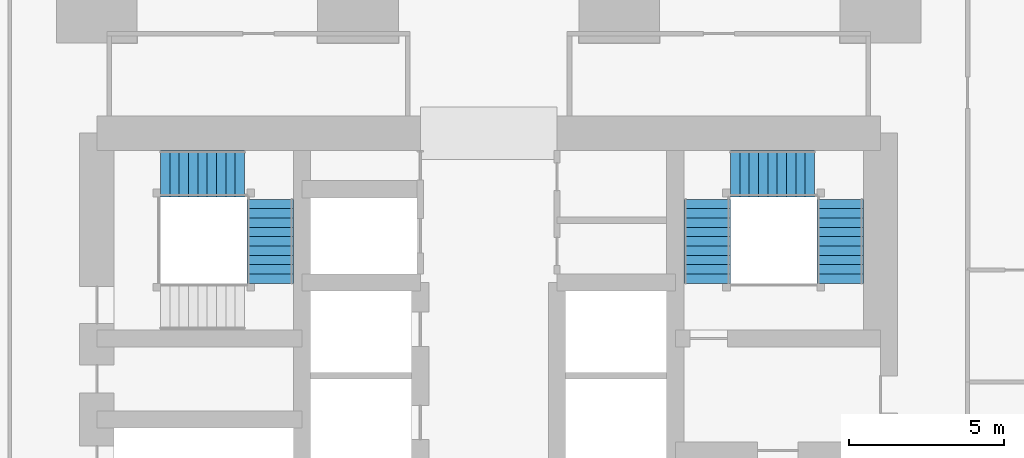
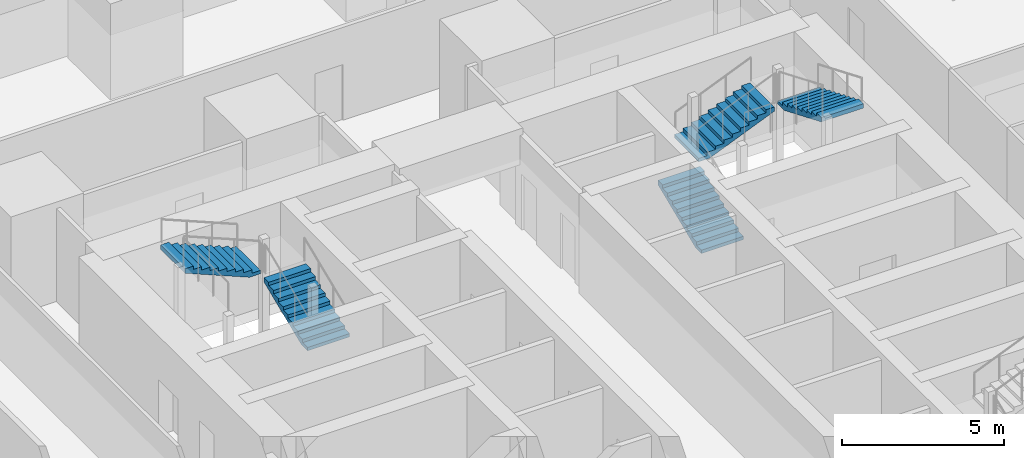
# One storey, part 26 of 35: 5 stair flights, 2 elements without a shape of their own.
"""IFC4 building model written with IfcOpenShell, lengths in metres."""

from ifc_helpers import new_model, si_unit, direction, frame, origin, place, context, subcontext, project, spatial, polyline, outline, extrude, material, type_object, element, aggregate, save


model = new_model("IFC4")

# Units and contexts
model_context = context("Model", 3, precision=1e-05, world=origin(), true_north=direction((0.0, 1.0)))
body_context = subcontext(model_context, "Body", "Model", "MODEL_VIEW")
ifc_project = project(units=[si_unit("LENGTHUNIT", "METRE"), si_unit("AREAUNIT", "SQUARE_METRE"), si_unit("VOLUMEUNIT", "CUBIC_METRE"), si_unit("PLANEANGLEUNIT", "RADIAN"), si_unit("MASSUNIT", "GRAM", prefix="KILO")], contexts=[model_context])

# Site, building, storey
site_placement = place(None, origin())
site = spatial("IfcSite", under=ifc_project, at=site_placement, CompositionType="ELEMENT")
building_placement = place(site_placement, origin())
building = spatial("IfcBuilding", under=site, at=building_placement, Name="Rekha Terrace Tower", CompositionType="ELEMENT")
storey_placement = place(building_placement, frame((0.0, 0.0, 25.39990234375)))
storey = spatial("IfcBuildingStorey", under=building, at=storey_placement, Name="L05", CompositionType="ELEMENT", Elevation=25.39990234375)

# Stair, stair flights
ifc_material = material(Name="Concrete M40", Category="concrete")
stair_type = type_object("IfcStairType", Name="ST30 stair, 30 risers of 125, going 300, 1500 wide flights, 3 flights", PredefinedType="HALF_TURN_STAIR", material=ifc_material)
stair_1_placement = place(storey_placement, origin())
stair_1 = element("IfcStair", 1, at=stair_1_placement, inside=storey, type_object=stair_type, Name="Stair ST2 L05 to L06", PredefinedType="HALF_TURN_STAIR")
stair_flight_type = type_object("IfcStairFlightType", Name="SF10 stair flight, 10 risers of 125, going 300, 1500 wide", PredefinedType="STRAIGHT", material=ifc_material)
stair_flight_1_placement = place(storey_placement, frame((44.824951171875, 41.375, 0.0), z_axis=(0.0, 0.0, 1.0), x_axis=(0.0, 1.0, 0.0)))
stair_flight_1 = element("IfcStairFlight", 2, at=stair_flight_1_placement, type_object=stair_flight_type, Name="ST2 flight 1", NumberOfRisers=10, NumberOfTreads=9, PredefinedType="STRAIGHT", RiserHeight=0.125, TreadLength=0.3, context=body_context, shape_type="SweptSolid", body=[
    extrude(outline(polyline([(0.0, 0.0), (0.0, 0.125), (0.300048828125, 0.125), (0.300048828125, 0.25), (0.60009765625, 0.25), (0.60009765625, 0.375), (0.89990234375, 0.375), (0.89990234375, 0.5), (1.199951171875, 0.5), (1.199951171875, 0.625), (1.5, 0.625), (1.5, 0.75), (1.800048828125, 0.75), (1.800048828125, 0.875), (2.10009765625, 0.875), (2.10009765625, 1.0), (2.39990234375, 1.0), (2.39990234375, 1.125), (2.699951171875, 1.125), (2.699951171875, 1.25), (2.699951171875, 0.962646484375), (0.3896484375, 0.0), (0.0, 0.0)])), frame((0.0, 0.75, 0.0), z_axis=(0.0, -1.0, 0.0), x_axis=(1.0, 0.0, 0.0)), (0.0, 0.0, 1.0), 1.5),
])
stair_flight_2_placement = place(storey_placement, frame((45.574951171875, 44.89990234375, 1.25), z_axis=(0.0, 0.0, 1.0), x_axis=(1.0, 0.0, 0.0)))
stair_flight_2 = element("IfcStairFlight", 3, at=stair_flight_2_placement, type_object=stair_flight_type, Name="ST2 flight 2", NumberOfRisers=10, NumberOfTreads=9, PredefinedType="STRAIGHT", RiserHeight=0.125, TreadLength=0.3, context=body_context, shape_type="SweptSolid", body=[
    extrude(outline(polyline([(0.0, 0.0), (0.0, 0.125), (0.300048828125, 0.125), (0.300048828125, 0.25), (0.60009765625, 0.25), (0.60009765625, 0.375), (0.89990234375, 0.375), (0.89990234375, 0.5), (1.199951171875, 0.5), (1.199951171875, 0.625), (1.5, 0.625), (1.5, 0.75), (1.800048828125, 0.75), (1.800048828125, 0.875), (2.10009765625, 0.875), (2.10009765625, 1.0), (2.39990234375, 1.0), (2.39990234375, 1.125), (2.699951171875, 1.125), (2.699951171875, 1.25), (2.699951171875, 0.962646484375), (0.3896484375, 0.0), (0.0, 0.0)])), frame((0.0, 0.75, 0.0), z_axis=(0.0, -1.0, 0.0), x_axis=(1.0, 0.0, 0.0)), (0.0, 0.0, 1.0), 1.5),
])
stair_flight_3_placement = place(storey_placement, frame((49.10009765625, 44.074951171875, 2.5), z_axis=(0.0, 0.0, 1.0), x_axis=(0.0, -1.0, 0.0)))
stair_flight_3 = element("IfcStairFlight", 4, at=stair_flight_3_placement, type_object=stair_flight_type, Name="ST2 flight 3", NumberOfRisers=10, NumberOfTreads=9, PredefinedType="STRAIGHT", RiserHeight=0.125, TreadLength=0.3, context=body_context, shape_type="SweptSolid", body=[
    extrude(outline(polyline([(0.0, 0.0), (0.0, 0.125), (0.300048828125, 0.125), (0.300048828125, 0.25), (0.60009765625, 0.25), (0.60009765625, 0.375), (0.89990234375, 0.375), (0.89990234375, 0.5), (1.199951171875, 0.5), (1.199951171875, 0.625), (1.5, 0.625), (1.5, 0.75), (1.800048828125, 0.75), (1.800048828125, 0.875), (2.10009765625, 0.875), (2.10009765625, 1.0), (2.39990234375, 1.0), (2.39990234375, 1.125), (2.699951171875, 1.125), (2.699951171875, 1.25), (2.699951171875, 0.962646484375), (0.3896484375, 0.0), (0.0, 0.0)])), frame((0.0, 0.75, 0.0), z_axis=(0.0, -1.0, 0.0), x_axis=(1.0, 0.0, 0.0)), (0.0, 0.0, 1.0), 1.5),
])
aggregate(stair_1, [stair_flight_1, stair_flight_2, stair_flight_3])

stair_2_placement = place(storey_placement, origin())
stair_2 = element("IfcStair", 5, at=stair_2_placement, inside=storey, type_object=stair_type, Name="Stair ST4 L05 to L06", PredefinedType="HALF_TURN_STAIR")
stair_flight_4_placement = place(storey_placement, frame((30.77490234375, 41.375, 1.25), z_axis=(0.0, 0.0, 1.0), x_axis=(0.0, 1.0, 0.0)))
stair_flight_4 = element("IfcStairFlight", 6, at=stair_flight_4_placement, type_object=stair_flight_type, Name="ST4 flight 2", NumberOfRisers=10, NumberOfTreads=9, PredefinedType="STRAIGHT", RiserHeight=0.125, TreadLength=0.3, context=body_context, shape_type="SweptSolid", body=[
    extrude(outline(polyline([(0.0, 0.0), (0.0, 0.125), (0.300048828125, 0.125), (0.300048828125, 0.25), (0.60009765625, 0.25), (0.60009765625, 0.375), (0.89990234375, 0.375), (0.89990234375, 0.5), (1.199951171875, 0.5), (1.199951171875, 0.625), (1.5, 0.625), (1.5, 0.75), (1.800048828125, 0.75), (1.800048828125, 0.875), (2.10009765625, 0.875), (2.10009765625, 1.0), (2.39990234375, 1.0), (2.39990234375, 1.125), (2.699951171875, 1.125), (2.699951171875, 1.25), (2.699951171875, 0.962646484375), (0.3896484375, 0.0), (0.0, 0.0)])), frame((0.0, 0.75, 0.0), z_axis=(0.0, -1.0, 0.0), x_axis=(1.0, 0.0, 0.0)), (0.0, 0.0, 1.0), 1.5),
])
stair_flight_5_placement = place(storey_placement, frame((29.949951171875, 44.89990234375, 2.5), z_axis=(0.0, 0.0, 1.0), x_axis=(-1.0, 0.0, 0.0)))
stair_flight_5 = element("IfcStairFlight", 7, at=stair_flight_5_placement, type_object=stair_flight_type, Name="ST4 flight 3", NumberOfRisers=10, NumberOfTreads=9, PredefinedType="STRAIGHT", RiserHeight=0.125, TreadLength=0.3, context=body_context, shape_type="SweptSolid", body=[
    extrude(outline(polyline([(0.0, 0.0), (0.0, 0.125), (0.300048828125, 0.125), (0.300048828125, 0.25), (0.60009765625, 0.25), (0.60009765625, 0.375), (0.89990234375, 0.375), (0.89990234375, 0.5), (1.199951171875, 0.5), (1.199951171875, 0.625), (1.5, 0.625), (1.5, 0.75), (1.800048828125, 0.75), (1.800048828125, 0.875), (2.10009765625, 0.875), (2.10009765625, 1.0), (2.39990234375, 1.0), (2.39990234375, 1.125), (2.699951171875, 1.125), (2.699951171875, 1.25), (2.699951171875, 0.962646484375), (0.3896484375, 0.0), (0.0, 0.0)])), frame((0.0, 0.75, 0.0), z_axis=(0.0, -1.0, 0.0), x_axis=(1.0, 0.0, 0.0)), (0.0, 0.0, 1.0), 1.5),
])
aggregate(stair_2, [stair_flight_4, stair_flight_5])

save(model, "model.ifc")
